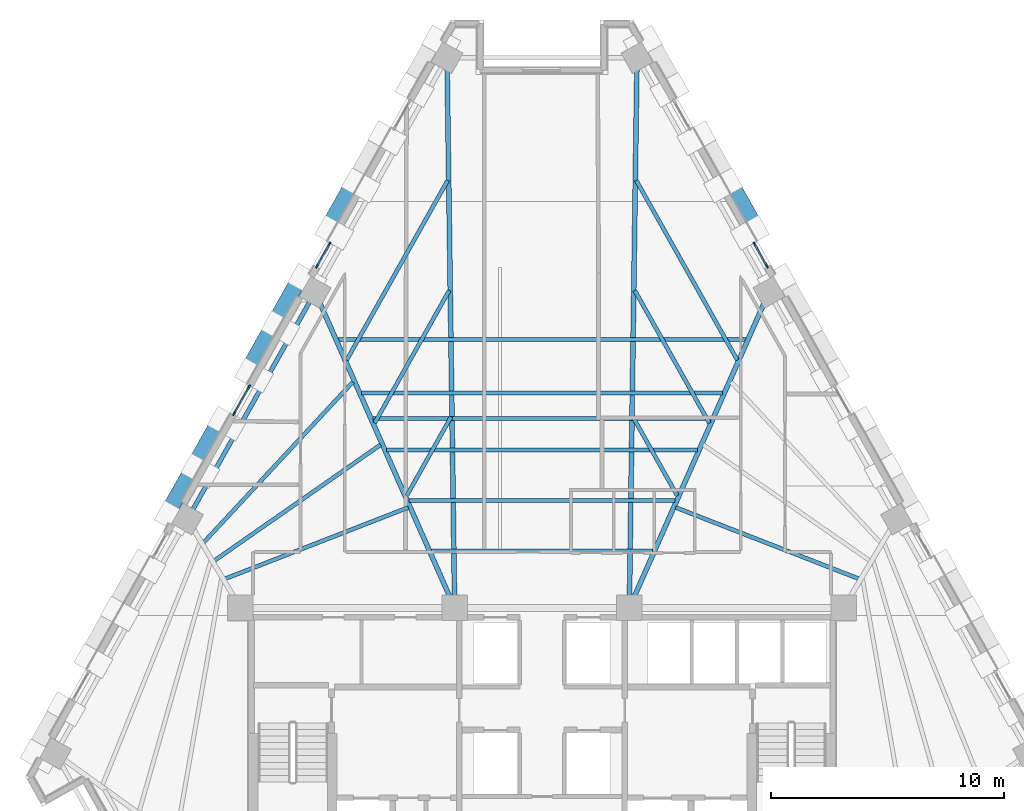
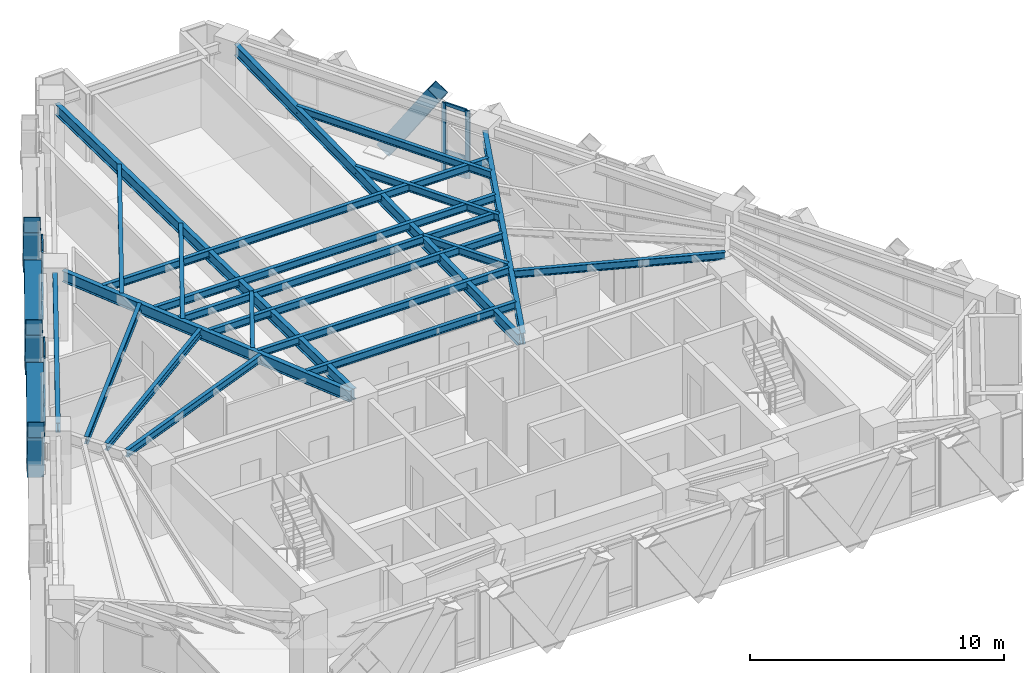
# One storey, part 3 of 13: 21 beams, 21 members, 3 elements without a shape of their own.
"""IFC4 building model written with IfcOpenShell, lengths in metres."""

import ifcopenshell
import ifcopenshell.guid

model = None  # the IFC model being written
_history = None  # IfcOwnerHistory: only IFC2X3 demands one
_inside = {}  # id of a spatial element -> (the spatial element, [elements in it])
_under = {}  # id of a project, library or spatial element -> (it, [spatial elements below it])
_declared = {}  # id of a project -> (the project, [libraries it declares])
_typed = {}  # id of a type object -> (the type object, [elements of that type])
_made_of = {}  # id of a material, layer set ... -> (it, [elements and type objects made of it])


def new_model(schema):
    """Start an empty IFC model of exactly this schema.

    Asked for "IFC4X3", IfcOpenShell would pick the latest addendum, in which some entities
    have other attributes; the version numbers below select the first issue.
    IFC2X3 requires an IfcOwnerHistory on every rooted entity: one is made here for all.
    """
    global model, _history
    if schema == "IFC4X3":
        model = ifcopenshell.file(schema_version=(4, 3, 0, 0))
    else:
        model = ifcopenshell.file(schema=schema)
    _inside.clear()
    _under.clear()
    _declared.clear()
    _typed.clear()
    _made_of.clear()
    _history = None
    if model.schema == "IFC2X3":
        org = make("IfcOrganization", Name="unknown")
        user = make(
            "IfcPersonAndOrganization",
            ThePerson=make("IfcPerson", FamilyName="unknown"),
            TheOrganization=org,
        )
        app = make(
            "IfcApplication",
            ApplicationDeveloper=org,
            Version="unknown",
            ApplicationFullName="unknown",
            ApplicationIdentifier="unknown",
        )
        _history = make(
            "IfcOwnerHistory",
            OwningUser=user,
            OwningApplication=app,
            ChangeAction="ADDED",
            CreationDate=0,
        )
    return model


def make(cls, **values):
    """One entity of the class cls with the attributes given. An attribute that is None is left unset."""
    return model.create_entity(
        cls, **{name: value for name, value in values.items() if value is not None}
    )


def rooted(cls, **values):
    """An entity with a GlobalId (a new one), such as an element, a storey or a relation."""
    return make(cls, GlobalId=ifcopenshell.guid.new(), OwnerHistory=_history, **values)


def si_unit(unit_type, name, prefix=None):
    """IfcSIUnit, for example si_unit("LENGTHUNIT", "METRE", prefix="MILLI")."""
    return make("IfcSIUnit", UnitType=unit_type, Prefix=prefix, Name=name)


def assignment(units):
    """IfcUnitAssignment: the units of a project."""
    return None if units is None else make("IfcUnitAssignment", Units=units)


def point(xyz):
    """IfcCartesianPoint."""
    return None if xyz is None else make("IfcCartesianPoint", Coordinates=xyz)


def direction(xyz):
    """IfcDirection."""
    return None if xyz is None else make("IfcDirection", DirectionRatios=xyz)


def frame(location, z_axis=None, x_axis=None):
    """IfcAxis2Placement3D, a coordinate frame: its origin and axes. An axis left out is left unset."""
    return make(
        "IfcAxis2Placement3D",
        Location=point(location),
        Axis=direction(z_axis),
        RefDirection=direction(x_axis),
    )


def frame_2d(location, x_axis=None):
    """IfcAxis2Placement2D, a coordinate frame in the plane: its origin and x axis."""
    return make(
        "IfcAxis2Placement2D", Location=point(location), RefDirection=direction(x_axis)
    )


def origin():
    """The frame at (0, 0, 0) with its axes left unset."""
    return frame((0.0, 0.0, 0.0))


def origin_2d():
    """The frame at (0, 0) in the plane with its x axis left unset."""
    return frame_2d((0.0, 0.0))


def place(relative_to, where):
    """IfcLocalPlacement: puts the frame where relative to a parent placement (None: the world)."""
    return make(
        "IfcLocalPlacement", PlacementRelTo=relative_to, RelativePlacement=where
    )


def context(
    kind, dimensions, precision=None, world=None, true_north=None, identifier=None
):
    """IfcGeometricRepresentationContext, for example the 3D "Model" context."""
    return make(
        "IfcGeometricRepresentationContext",
        ContextIdentifier=identifier,
        ContextType=kind,
        CoordinateSpaceDimension=dimensions,
        Precision=precision,
        WorldCoordinateSystem=world,
        TrueNorth=true_north,
    )


def subcontext(parent, identifier, kind, view, scale=None):
    """IfcGeometricRepresentationSubContext, for example "Body" below "Model"."""
    return make(
        "IfcGeometricRepresentationSubContext",
        ContextIdentifier=identifier,
        ContextType=kind,
        ParentContext=parent,
        TargetScale=scale,
        TargetView=view,
    )


def project(units=None, contexts=None):
    """IfcProject with its units and contexts."""
    return rooted(
        "IfcProject",
        Name="project",
        RepresentationContexts=contexts,
        UnitsInContext=assignment(units),
    )


def spatial(cls, under=None, at=None, **own):
    """A site, building, storey or space (cls), placed at a placement, below another one or the project."""
    s = rooted(cls, ObjectPlacement=at, **own)
    if under is not None:
        _under.setdefault(under.id(), (under, []))[1].append(s)
    return s


def profile(cls, at=None, kind="AREA", **sizes):
    """A parametric profile (cls). Its sizes go by their IFC names, for example OverallWidth=200.0."""
    return make(cls, ProfileType=kind, Position=at, **sizes)


def rectangle(**sizes):
    """IfcRectangleProfileDef."""
    return profile("IfcRectangleProfileDef", **sizes)


def hollow_rectangle(**sizes):
    """IfcRectangleHollowProfileDef."""
    return profile("IfcRectangleHollowProfileDef", **sizes)


def i_section(**sizes):
    """IfcIShapeProfileDef."""
    return profile("IfcIShapeProfileDef", **sizes)


def extrude(swept, where, along, depth):
    """IfcExtrudedAreaSolid: the profile swept, set in the frame where, extruded along a direction by depth."""
    return make(
        "IfcExtrudedAreaSolid",
        SweptArea=swept,
        Position=where,
        ExtrudedDirection=direction(along),
        Depth=depth,
    )


def shape(context_of_items, identifier, shape_type, items):
    """IfcShapeRepresentation: the items that make up one representation, for example the "Body"."""
    return make(
        "IfcShapeRepresentation",
        ContextOfItems=context_of_items,
        RepresentationIdentifier=identifier,
        RepresentationType=shape_type,
        Items=items,
    )


def material(Name=None, Category=None):
    """IfcMaterial."""
    return make("IfcMaterial", Name=Name, Category=Category)


def material_profile(
    of_material, cross_section, Name=None, Category=None, Priority=None
):
    """IfcMaterialProfile: a cross section and its material."""
    return make(
        "IfcMaterialProfile",
        Name=Name,
        Material=of_material,
        Profile=cross_section,
        Priority=Priority,
        Category=Category,
    )


def profile_set(profiles, Name=None, composite=None):
    """IfcMaterialProfileSet."""
    return make(
        "IfcMaterialProfileSet",
        Name=Name,
        MaterialProfiles=profiles,
        CompositeProfile=composite,
    )


def made_of(thing, what):
    """Note that an element or type object is made of a material, layer set ...; save() writes the relation."""
    if what is not None:
        _made_of.setdefault(what.id(), (what, []))[1].append(thing)
    return thing


def type_object(cls, material=None, **own):
    """A type object (cls), such as IfcWallType, which elements share."""
    return made_of(rooted(cls, **own), material)


def element(
    cls,
    number,
    at=None,
    inside=None,
    cuts=None,
    type_object=None,
    material=None,
    context=None,
    identifier="Body",
    shape_type=None,
    held_by="IfcProductDefinitionShape",
    body=None,
    shapes=None,
    **own,
):
    """One element of the class cls, such as IfcWall. Its Tag is "e" and its number.

    at: its placement. inside: the storey or other place that contains it. cuts: it is an
    opening in that element (IfcRelVoidsElement). A single representation is given by context,
    identifier, shape_type and body (its items); several are given by shapes. held_by: the class
    of the entity that holds the representations. save() writes the other relations.
    """
    e = rooted(cls, Tag="e%d" % number, ObjectPlacement=at, **own)
    if body is not None:
        shapes = [shape(context, identifier, shape_type, body)]
    if shapes is not None:
        e.Representation = make(held_by, Representations=shapes)
    if inside is not None:
        _inside.setdefault(inside.id(), (inside, []))[1].append(e)
    if cuts is not None:
        rooted(
            "IfcRelVoidsElement", RelatingBuildingElement=cuts, RelatedOpeningElement=e
        )
    if type_object is not None:
        _typed.setdefault(type_object.id(), (type_object, []))[1].append(e)
    return made_of(e, material)


def aggregate(whole, parts):
    """IfcRelAggregates: a whole, such as a stair, and the parts it consists of."""
    return rooted("IfcRelAggregates", RelatingObject=whole, RelatedObjects=parts)


def save(model, path):
    """Write the relations noted so far, then the file.

    IfcRelAggregates (storeys below a building ...), IfcRelContainedInSpatialStructure (elements
    in a storey), IfcRelDefinesByType, IfcRelAssociatesMaterial and IfcRelDeclares: one each for
    every whole, place, type object, material and project.
    """
    for whole, parts in _under.values():
        aggregate(whole, parts)
    for where, things in _inside.values():
        rooted(
            "IfcRelContainedInSpatialStructure",
            RelatedElements=things,
            RelatingStructure=where,
        )
    for kind, things in _typed.values():
        rooted("IfcRelDefinesByType", RelatedObjects=things, RelatingType=kind)
    for what, things in _made_of.values():
        rooted("IfcRelAssociatesMaterial", RelatedObjects=things, RelatingMaterial=what)
    for by, libraries in _declared.values():
        rooted("IfcRelDeclares", RelatingContext=by, RelatedDefinitions=libraries)
    model.write(path)


model = new_model("IFC4")

# Units and contexts
model_context = context("Model", 3, precision=1e-05, world=origin(), true_north=direction((0.0, 1.0)))
body_context = subcontext(model_context, "Body", "Model", "MODEL_VIEW")
ifc_project = project(units=[si_unit("LENGTHUNIT", "METRE"), si_unit("AREAUNIT", "SQUARE_METRE"), si_unit("VOLUMEUNIT", "CUBIC_METRE"), si_unit("PLANEANGLEUNIT", "RADIAN"), si_unit("MASSUNIT", "GRAM", prefix="KILO")], contexts=[model_context])

# Site, building, storey
site_placement = place(None, origin())
site = spatial("IfcSite", under=ifc_project, at=site_placement, CompositionType="ELEMENT")
building_placement = place(site_placement, origin())
building = spatial("IfcBuilding", under=site, at=building_placement, Name="Quenlor Broadcast Tower", CompositionType="ELEMENT")
storey_placement = place(building_placement, frame((0.0, 0.0, 172.0)))
storey = spatial("IfcBuildingStorey", under=building, at=storey_placement, Name="L47", CompositionType="ELEMENT", Elevation=172.0)

# Curtain wall, members
ifc_material_1 = material(Name="Architectural Terracotta and Low-E Glazing", Category="masonry")
curtain_wall_type = type_object("IfcCurtainWallType", Name="Unitised Terracotta Curtain Wall System Z3", PredefinedType="NOTDEFINED", material=ifc_material_1)
curtain_wall_1_placement = place(storey_placement, origin())
curtain_wall_1 = element("IfcCurtainWall", 1, at=curtain_wall_1_placement, inside=storey, type_object=curtain_wall_type, Name="L47 Curtain Wall CW3 (L47-NEA-G2)", PredefinedType="NOTDEFINED")
ifc_material_2 = material(Name="Aluminium 6063-T6", Category="aluminium")
ifc_material_profile_1 = material_profile(ifc_material_2, rectangle(XDim=0.070068359375, YDim=0.18994140625, at=origin_2d()))
ifc_profile_set_1 = profile_set([ifc_material_profile_1], Name="Aluminium 6063-T6 MULL70x190")
member_type_1 = type_object("IfcMemberType", Name="CW3 Aluminium Mullion MULL_CW3", PredefinedType="MULLION", material=ifc_profile_set_1)
member_1_placement = place(storey_placement, frame((9.1259765625, 10.8193359375, 0.0), z_axis=(0.0, 0.0, 1.0), x_axis=(0.871601010924, 0.490215950125, 0.0)))
member_1 = element("IfcMember", 2, at=member_1_placement, type_object=member_type_1, Name="CW3 mullion 1", PredefinedType="MULLION", context=body_context, shape_type="SweptSolid", body=[
    extrude(rectangle(XDim=0.070068359375, YDim=0.18994140625, at=origin_2d()), origin(), (0.0, 0.0, 1.0), 3.25),
])
member_2_placement = place(storey_placement, frame((9.656982421875, 9.875244140625, 0.0), z_axis=(0.0, 0.0, 1.0), x_axis=(0.871601010924, 0.490215950125, 0.0)))
member_2 = element("IfcMember", 3, at=member_2_placement, type_object=member_type_1, Name="CW3 mullion 2", PredefinedType="MULLION", context=body_context, shape_type="SweptSolid", body=[
    extrude(rectangle(XDim=0.070068359375, YDim=0.18994140625, at=origin_2d()), origin(), (0.0, 0.0, 1.0), 3.25),
])

curtain_wall_2_placement = place(storey_placement, origin())
curtain_wall_2 = element("IfcCurtainWall", 4, at=curtain_wall_2_placement, inside=storey, type_object=curtain_wall_type, Name="L47 Curtain Wall CW3 (L47-NWC-G1)", PredefinedType="NOTDEFINED")
member_3_placement = place(storey_placement, frame((-9.656982421875, 9.875244140625, 0.0), z_axis=(0.0, 0.0, 1.0), x_axis=(-0.871601010924, 0.490215950125, 0.0)))
member_3 = element("IfcMember", 5, at=member_3_placement, type_object=member_type_1, Name="CW3 mullion 1", PredefinedType="MULLION", context=body_context, shape_type="SweptSolid", body=[
    extrude(rectangle(XDim=0.070068359375, YDim=0.18994140625, at=origin_2d()), origin(), (0.0, 0.0, 1.0), 3.25),
])
member_4_placement = place(storey_placement, frame((-9.1259765625, 10.8193359375, 0.0), z_axis=(0.0, 0.0, 1.0), x_axis=(-0.871601010924, 0.490215950125, 0.0)))
member_4 = element("IfcMember", 6, at=member_4_placement, type_object=member_type_1, Name="CW3 mullion 2", PredefinedType="MULLION", context=body_context, shape_type="SweptSolid", body=[
    extrude(rectangle(XDim=0.070068359375, YDim=0.18994140625, at=origin_2d()), origin(), (0.0, 0.0, 1.0), 3.25),
])

curtain_wall_3_placement = place(storey_placement, origin())
curtain_wall_3 = element("IfcCurtainWall", 7, at=curtain_wall_3_placement, inside=storey, type_object=curtain_wall_type, Name="L47 Curtain Wall CW3 (L47-NW-G1)", PredefinedType="NOTDEFINED")
member_5_placement = place(storey_placement, frame((-13.220947265625, 3.5390625, 0.0), z_axis=(0.0, 0.0, 1.0), x_axis=(-0.871562085714, 0.490285152484, 0.0)))
member_5 = element("IfcMember", 8, at=member_5_placement, type_object=member_type_1, Name="CW3 mullion 1", PredefinedType="MULLION", context=body_context, shape_type="SweptSolid", body=[
    extrude(rectangle(XDim=0.070068359375, YDim=0.18994140625, at=origin_2d()), origin(), (0.0, 0.0, 1.0), 3.25),
])
member_6_placement = place(storey_placement, frame((-12.573974609375, 4.689208984375, 0.0), z_axis=(0.0, 0.0, 1.0), x_axis=(-0.871562085714, 0.490285152484, 0.0)))
member_6 = element("IfcMember", 9, at=member_6_placement, type_object=member_type_1, Name="CW3 mullion 2", PredefinedType="MULLION", context=body_context, shape_type="SweptSolid", body=[
    extrude(rectangle(XDim=0.070068359375, YDim=0.18994140625, at=origin_2d()), origin(), (0.0, 0.0, 1.0), 3.25),
])

# Member
ifc_material_3 = material(Name="Aluminium 6063-T6", Category="aluminium")
ifc_material_profile_2 = material_profile(ifc_material_3, rectangle(XDim=0.070068359375, YDim=0.155029296875, at=origin_2d()))
ifc_profile_set_2 = profile_set([ifc_material_profile_2], Name="Aluminium 6063-T6 TRAN70x155")
member_type_2 = type_object("IfcMemberType", Name="CW3 Aluminium Transom TRAN_CW3", PredefinedType="USERDEFINED", material=ifc_profile_set_2)
member_7_placement = place(storey_placement, frame((9.14306640625, 10.788818359375, 0.034912109375), z_axis=(0.490341317219, -0.871530488639, 0.0), x_axis=(0.871530488639, 0.490341317219, 0.0)))
member_7 = element("IfcMember", 10, at=member_7_placement, type_object=member_type_2, Name="CW3 transom 1.1", ObjectType="TRANSOM", PredefinedType="USERDEFINED", context=body_context, shape_type="SweptSolid", body=[
    extrude(rectangle(XDim=0.070068359375, YDim=0.155029296875, at=origin_2d()), origin(), (0.0, 0.0, 1.0), 1.01318359375),
])

member_8_placement = place(storey_placement, frame((9.14306640625, 10.788818359375, 0.949951171875), z_axis=(0.490341317219, -0.871530488639, 0.0), x_axis=(0.871530488639, 0.490341317219, 0.0)))
member_8 = element("IfcMember", 11, at=member_8_placement, type_object=member_type_2, Name="CW3 transom 1.2", ObjectType="TRANSOM", PredefinedType="USERDEFINED", context=body_context, shape_type="SweptSolid", body=[
    extrude(rectangle(XDim=0.070068359375, YDim=0.155029296875, at=origin_2d()), origin(), (0.0, 0.0, 1.0), 1.01318359375),
])

member_9_placement = place(storey_placement, frame((9.14306640625, 10.788818359375, 3.215087890625), z_axis=(0.490341317219, -0.871530488639, 0.0), x_axis=(0.871530488639, 0.490341317219, 0.0)))
member_9 = element("IfcMember", 12, at=member_9_placement, type_object=member_type_2, Name="CW3 transom 1.3", ObjectType="TRANSOM", PredefinedType="USERDEFINED", context=body_context, shape_type="SweptSolid", body=[
    extrude(rectangle(XDim=0.070068359375, YDim=0.155029296875, at=origin_2d()), origin(), (0.0, 0.0, 1.0), 1.01318359375),
])

aggregate(curtain_wall_1, [member_1, member_2, member_7, member_8, member_9])

member_10_placement = place(storey_placement, frame((-9.639892578125, 9.90576171875, 0.034912109375), z_axis=(0.490341317219, 0.871530488639, 0.0), x_axis=(-0.871530488639, 0.490341317219, 0.0)))
member_10 = element("IfcMember", 13, at=member_10_placement, type_object=member_type_2, Name="CW3 transom 1.1", ObjectType="TRANSOM", PredefinedType="USERDEFINED", context=body_context, shape_type="SweptSolid", body=[
    extrude(rectangle(XDim=0.070068359375, YDim=0.155029296875, at=origin_2d()), origin(), (0.0, 0.0, 1.0), 1.01318359375),
])

member_11_placement = place(storey_placement, frame((-9.639892578125, 9.90576171875, 0.949951171875), z_axis=(0.490341317219, 0.871530488639, 0.0), x_axis=(-0.871530488639, 0.490341317219, 0.0)))
member_11 = element("IfcMember", 14, at=member_11_placement, type_object=member_type_2, Name="CW3 transom 1.2", ObjectType="TRANSOM", PredefinedType="USERDEFINED", context=body_context, shape_type="SweptSolid", body=[
    extrude(rectangle(XDim=0.070068359375, YDim=0.155029296875, at=origin_2d()), origin(), (0.0, 0.0, 1.0), 1.01318359375),
])

member_12_placement = place(storey_placement, frame((-9.639892578125, 9.90576171875, 3.215087890625), z_axis=(0.490341317219, 0.871530488639, 0.0), x_axis=(-0.871530488639, 0.490341317219, 0.0)))
member_12 = element("IfcMember", 15, at=member_12_placement, type_object=member_type_2, Name="CW3 transom 1.3", ObjectType="TRANSOM", PredefinedType="USERDEFINED", context=body_context, shape_type="SweptSolid", body=[
    extrude(rectangle(XDim=0.070068359375, YDim=0.155029296875, at=origin_2d()), origin(), (0.0, 0.0, 1.0), 1.01318359375),
])

aggregate(curtain_wall_2, [member_3, member_4, member_10, member_11, member_12])

member_13_placement = place(storey_placement, frame((-13.203857421875, 3.569580078125, 0.034912109375), z_axis=(0.490363266059, 0.871518139398, 0.0), x_axis=(-0.871518139398, 0.490363266059, 0.0)))
member_13 = element("IfcMember", 16, at=member_13_placement, type_object=member_type_2, Name="CW3 transom 1.1", ObjectType="TRANSOM", PredefinedType="USERDEFINED", context=body_context, shape_type="SweptSolid", body=[
    extrude(rectangle(XDim=0.070068359375, YDim=0.155029296875, at=origin_2d()), origin(), (0.0, 0.0, 1.0), 1.249755859375),
])

member_14_placement = place(storey_placement, frame((-13.203857421875, 3.569580078125, 0.949951171875), z_axis=(0.490363266059, 0.871518139398, 0.0), x_axis=(-0.871518139398, 0.490363266059, 0.0)))
member_14 = element("IfcMember", 17, at=member_14_placement, type_object=member_type_2, Name="CW3 transom 1.2", ObjectType="TRANSOM", PredefinedType="USERDEFINED", context=body_context, shape_type="SweptSolid", body=[
    extrude(rectangle(XDim=0.070068359375, YDim=0.155029296875, at=origin_2d()), origin(), (0.0, 0.0, 1.0), 1.249755859375),
])

member_15_placement = place(storey_placement, frame((-13.203857421875, 3.569580078125, 3.215087890625), z_axis=(0.490363266059, 0.871518139398, 0.0), x_axis=(-0.871518139398, 0.490363266059, 0.0)))
member_15 = element("IfcMember", 18, at=member_15_placement, type_object=member_type_2, Name="CW3 transom 1.3", ObjectType="TRANSOM", PredefinedType="USERDEFINED", context=body_context, shape_type="SweptSolid", body=[
    extrude(rectangle(XDim=0.070068359375, YDim=0.155029296875, at=origin_2d()), origin(), (0.0, 0.0, 1.0), 1.249755859375),
])

aggregate(curtain_wall_3, [member_5, member_6, member_13, member_14, member_15])

# Members
ifc_material_4 = material(Name="Steel S355", Category="steel")
ifc_material_profile_3 = material_profile(ifc_material_4, hollow_rectangle(XDim=0.679931640625, YDim=0.679931640625, WallThickness=0.02490234375, at=origin_2d()))
ifc_profile_set_3 = profile_set([ifc_material_profile_3], Name="Steel S355 RHS680x680x25")
member_type_3 = type_object("IfcMemberType", Name="Perimeter Diagonal Lattice Brace Z3-Z4 Steel S355 RHS680x25", PredefinedType="BRACE", material=ifc_profile_set_3)
for number, where, z_axis, x_axis, name in (
    (19, (8.076416015625, 13.490478515625, -0.1201171875), (0.27060310517, -0.481001091283, 0.833913610428), (0.871544572467, 0.490316283845, 0.0), "L47 Perimeter Diamond Lattice NE-C2S"),
    (20, (-14.97265625, 1.230712890625, -0.1201171875), (-0.27060310517, -0.481001091283, 0.833913610428), (0.871544572467, -0.490316283845, 0.0), "L47 Perimeter Diamond Lattice NW-C2B"),
    (21, (-14.958984375, 1.255126953125, -0.1201171875), (0.2705491942, 0.481008661973, 0.833926735766), (-0.871589611547, 0.490236217596, 0.0), "L47 Perimeter Diamond Lattice NW-C3S"),
    (22, (-11.524658203125, 7.360595703125, -0.1201171875), (-0.2705491942, -0.481008661973, 0.833926735766), (0.871589611547, -0.490236217596, 0.0), "L47 Perimeter Diamond Lattice NW-C3B"),
    (23, (-11.5107421875, 7.385009765625, -0.1201171875), (0.2705491942, 0.481008661973, 0.833926735766), (-0.871589611547, 0.490236217596, 0.0), "L47 Perimeter Diamond Lattice NW-C4S"),
    (24, (-8.076416015625, 13.490478515625, -0.1201171875), (-0.27060310517, -0.481001091283, 0.833913610428), (0.871544572467, -0.490316283845, 0.0), "L47 Perimeter Diamond Lattice NW-C4B"),
):
    element("IfcMember", number, at=place(storey_placement, frame(where, z_axis=z_axis, x_axis=x_axis)), inside=storey, type_object=member_type_3, Name=name, PredefinedType="BRACE", context=body_context, shape_type="SweptSolid", body=[
        extrude(hollow_rectangle(XDim=0.679931640625, YDim=0.679931640625, WallThickness=0.02490234375, at=origin_2d()), origin(), (0.0, 0.0, 1.0), 4.197021484375),
    ])

# Beams
ifc_material_5 = material(Name="Steel S355", Category="steel")
ifc_material_profile_4 = material_profile(ifc_material_5, i_section(OverallWidth=0.19091796875, OverallDepth=0.46044921875, WebThickness=0.010009765625, FlangeThickness=0.01611328125, FilletRadius=0.011474609375, at=origin_2d()))
ifc_profile_set_4 = profile_set([ifc_material_profile_4], Name="Steel S355 460UB82.1")
beam_type_1 = type_object("IfcBeamType", Name="Perimeter Spandrel Beam Z3 Steel S355 460UB82.1", PredefinedType="SPANDREL", material=ifc_profile_set_4)
beam_1_placement = place(storey_placement, frame((-9.944091796875, 8.39599609375, 3.019775390625), z_axis=(-0.490252288562, -0.871580572041, 0.0), x_axis=(0.871580572041, -0.490252288562, 0.0)))
element("IfcBeam", 25, at=beam_1_placement, inside=storey, type_object=beam_type_1, Name="L47 Spandrel Beam NW2-NW3", PredefinedType="SPANDREL", context=body_context, shape_type="SweptSolid", body=[
    extrude(i_section(OverallWidth=0.19091796875, OverallDepth=0.46044921875, WebThickness=0.010009765625, FlangeThickness=0.01611328125, FilletRadius=0.011474609375, at=origin_2d()), origin(), (0.0, 0.0, 1.0), 10.359619140625),
])
ifc_material_6 = material(Name="Steel S355", Category="steel")
ifc_material_profile_5 = material_profile(ifc_material_6, i_section(OverallWidth=0.172119140625, OverallDepth=0.358642578125, WebThickness=0.008056640625, FlangeThickness=0.012939453125, FilletRadius=0.011474609375, at=origin_2d()))
ifc_profile_set_5 = profile_set([ifc_material_profile_5], Name="Steel S355 360UB56.7")
beam_type_2 = type_object("IfcBeamType", Name="Tower Composite Joist Z2-Z3 Steel S355 360UB56.7", PredefinedType="JOIST", material=ifc_profile_set_5)
beam_2_placement = place(storey_placement, frame((-4.748779296875, -2.3603515625, 3.07080078125), z_axis=(1.0, 0.0, 0.0), x_axis=(0.0, 1.0, 0.0)))
element("IfcBeam", 26, at=beam_2_placement, inside=storey, type_object=beam_type_2, Name="L47 Secondary Composite Joist 1", PredefinedType="JOIST", context=body_context, shape_type="SweptSolid", body=[
    extrude(i_section(OverallWidth=0.172119140625, OverallDepth=0.358642578125, WebThickness=0.008056640625, FlangeThickness=0.012939453125, FilletRadius=0.011474609375, at=origin_2d()), origin(), (0.0, 0.0, 1.0), 9.49755859375),
])
beam_3_placement = place(storey_placement, frame((-7.265869140625, 3.33203125, 3.07080078125), z_axis=(1.0, 0.0, 0.0), x_axis=(0.0, 1.0, 0.0)))
element("IfcBeam", 27, at=beam_3_placement, inside=storey, type_object=beam_type_2, Name="L47 Secondary Composite Joist 2", PredefinedType="JOIST", context=body_context, shape_type="SweptSolid", body=[
    extrude(i_section(OverallWidth=0.172119140625, OverallDepth=0.358642578125, WebThickness=0.008056640625, FlangeThickness=0.012939453125, FilletRadius=0.011474609375, at=origin_2d()), origin(), (0.0, 0.0, 1.0), 14.53173828125),
])
beam_4_placement = place(storey_placement, frame((-5.70751953125, -0.19189453125, 3.07080078125), z_axis=(1.0, 0.0, 0.0), x_axis=(0.0, 1.0, 0.0)))
element("IfcBeam", 28, at=beam_4_placement, inside=storey, type_object=beam_type_2, Name="L47 Secondary Composite Joist 3", PredefinedType="JOIST", context=body_context, shape_type="SweptSolid", body=[
    extrude(i_section(OverallWidth=0.172119140625, OverallDepth=0.358642578125, WebThickness=0.008056640625, FlangeThickness=0.012939453125, FilletRadius=0.011474609375, at=origin_2d()), origin(), (0.0, 0.0, 1.0), 11.4150390625),
])
beam_5_placement = place(storey_placement, frame((-6.66650390625, 1.976806640625, 3.07080078125), z_axis=(1.0, 0.0, 0.0), x_axis=(0.0, 1.0, 0.0)))
element("IfcBeam", 29, at=beam_5_placement, inside=storey, type_object=beam_type_2, Name="L47 Secondary Composite Joist 4", PredefinedType="JOIST", context=body_context, shape_type="SweptSolid", body=[
    extrude(i_section(OverallWidth=0.172119140625, OverallDepth=0.358642578125, WebThickness=0.008056640625, FlangeThickness=0.012939453125, FilletRadius=0.011474609375, at=origin_2d()), origin(), (0.0, 0.0, 1.0), 13.3330078125),
])
beam_6_placement = place(storey_placement, frame((-7.7451171875, 4.416259765625, 3.07080078125), z_axis=(1.0, 0.0, 0.0), x_axis=(0.0, 1.0, 0.0)))
element("IfcBeam", 30, at=beam_6_placement, inside=storey, type_object=beam_type_2, Name="L47 Secondary Composite Joist 5", PredefinedType="JOIST", context=body_context, shape_type="SweptSolid", body=[
    extrude(i_section(OverallWidth=0.172119140625, OverallDepth=0.358642578125, WebThickness=0.008056640625, FlangeThickness=0.012939453125, FilletRadius=0.011474609375, at=origin_2d()), origin(), (0.0, 0.0, 1.0), 15.490234375),
])
beam_7_placement = place(storey_placement, frame((-8.763916015625, 6.72021484375, 3.07080078125), z_axis=(1.0, 0.0, 0.0), x_axis=(0.0, 1.0, 0.0)))
element("IfcBeam", 31, at=beam_7_placement, inside=storey, type_object=beam_type_2, Name="L47 Secondary Composite Joist 6", PredefinedType="JOIST", context=body_context, shape_type="SweptSolid", body=[
    extrude(i_section(OverallWidth=0.172119140625, OverallDepth=0.358642578125, WebThickness=0.008056640625, FlangeThickness=0.012939453125, FilletRadius=0.011474609375, at=origin_2d()), origin(), (0.0, 0.0, 1.0), 17.52783203125),
])
beam_8_placement = place(storey_placement, frame((-13.60302734375, -3.552001953125, 3.07080078125), z_axis=(0.931881865797, 0.362761889121, 0.0), x_axis=(-0.362761889121, 0.931881865797, 0.0)))
element("IfcBeam", 32, at=beam_8_placement, inside=storey, type_object=beam_type_2, Name="L47 Secondary Composite Joist 7", PredefinedType="JOIST", context=body_context, shape_type="SweptSolid", body=[
    extrude(i_section(OverallWidth=0.172119140625, OverallDepth=0.358642578125, WebThickness=0.008056640625, FlangeThickness=0.012939453125, FilletRadius=0.011474609375, at=origin_2d()), origin(), (0.0, 0.0, 1.0), 8.435546875),
])
beam_9_placement = place(storey_placement, frame((-14.06689453125, -2.7734375, 3.07080078125), z_axis=(0.82026568394, 0.57198269882, 0.0), x_axis=(-0.57198269882, 0.82026568394, 0.0)))
element("IfcBeam", 33, at=beam_9_placement, inside=storey, type_object=beam_type_2, Name="L47 Secondary Composite Joist 8", PredefinedType="JOIST", context=body_context, shape_type="SweptSolid", body=[
    extrude(i_section(OverallWidth=0.172119140625, OverallDepth=0.358642578125, WebThickness=0.008056640625, FlangeThickness=0.012939453125, FilletRadius=0.011474609375, at=origin_2d()), origin(), (0.0, 0.0, 1.0), 8.698486328125),
])
beam_10_placement = place(storey_placement, frame((-14.53271484375, -1.998779296875, 3.07080078125), z_axis=(0.680873505991, 0.732401030065, 0.0), x_axis=(-0.732401030065, 0.680873505991, 0.0)))
element("IfcBeam", 34, at=beam_10_placement, inside=storey, type_object=beam_type_2, Name="L47 Secondary Composite Joist 9", PredefinedType="JOIST", context=body_context, shape_type="SweptSolid", body=[
    extrude(i_section(OverallWidth=0.172119140625, OverallDepth=0.358642578125, WebThickness=0.008056640625, FlangeThickness=0.012939453125, FilletRadius=0.011474609375, at=origin_2d()), origin(), (0.0, 0.0, 1.0), 9.419189453125),
])
beam_11_placement = place(storey_placement, frame((13.60302734375, -3.552001953125, 3.07080078125), z_axis=(-0.931881865797, 0.362761889121, 0.0), x_axis=(-0.362761889121, -0.931881865797, 0.0)))
element("IfcBeam", 35, at=beam_11_placement, inside=storey, type_object=beam_type_2, Name="L47 Secondary Composite Joist 10", PredefinedType="JOIST", context=body_context, shape_type="SweptSolid", body=[
    extrude(i_section(OverallWidth=0.172119140625, OverallDepth=0.358642578125, WebThickness=0.008056640625, FlangeThickness=0.012939453125, FilletRadius=0.011474609375, at=origin_2d()), origin(), (0.0, 0.0, 1.0), 8.435546875),
])
beam_12_placement = place(storey_placement, frame((-3.904541015625, 3.39794921875, 3.07080078125), z_axis=(-0.49026422458, -0.871573858085, 0.0), x_axis=(0.871573858085, -0.49026422458, 0.0)))
element("IfcBeam", 36, at=beam_12_placement, inside=storey, type_object=beam_type_2, Name="L47 Secondary Composite Joist 25", PredefinedType="JOIST", context=body_context, shape_type="SweptSolid", body=[
    extrude(i_section(OverallWidth=0.172119140625, OverallDepth=0.358642578125, WebThickness=0.008056640625, FlangeThickness=0.012939453125, FilletRadius=0.011474609375, at=origin_2d()), origin(), (0.0, 0.0, 1.0), 3.88330078125),
])
beam_13_placement = place(storey_placement, frame((-3.980224609375, 8.8310546875, 3.07080078125), z_axis=(-0.490266556378, -0.871572546434, 0.0), x_axis=(0.871572546434, -0.490266556378, 0.0)))
element("IfcBeam", 37, at=beam_13_placement, inside=storey, type_object=beam_type_2, Name="L47 Secondary Composite Joist 26", PredefinedType="JOIST", context=body_context, shape_type="SweptSolid", body=[
    extrude(i_section(OverallWidth=0.172119140625, OverallDepth=0.358642578125, WebThickness=0.008056640625, FlangeThickness=0.012939453125, FilletRadius=0.011474609375, at=origin_2d()), origin(), (0.0, 0.0, 1.0), 6.54052734375),
])
beam_14_placement = place(storey_placement, frame((-4.046142578125, 13.555419921875, 3.07080078125), z_axis=(-0.490254691431, -0.871579220455, 0.0), x_axis=(0.871579220455, -0.490254691431, 0.0)))
element("IfcBeam", 38, at=beam_14_placement, inside=storey, type_object=beam_type_2, Name="L47 Secondary Composite Joist 27", PredefinedType="JOIST", context=body_context, shape_type="SweptSolid", body=[
    extrude(i_section(OverallWidth=0.172119140625, OverallDepth=0.358642578125, WebThickness=0.008056640625, FlangeThickness=0.012939453125, FilletRadius=0.011474609375, at=origin_2d()), origin(), (0.0, 0.0, 1.0), 8.850830078125),
])
beam_15_placement = place(storey_placement, frame((3.904541015625, 3.39794921875, 3.07080078125), z_axis=(0.49026422458, -0.871573858085, 0.0), x_axis=(0.871573858085, 0.49026422458, 0.0)))
element("IfcBeam", 39, at=beam_15_placement, inside=storey, type_object=beam_type_2, Name="L47 Secondary Composite Joist 28", PredefinedType="JOIST", context=body_context, shape_type="SweptSolid", body=[
    extrude(i_section(OverallWidth=0.172119140625, OverallDepth=0.358642578125, WebThickness=0.008056640625, FlangeThickness=0.012939453125, FilletRadius=0.011474609375, at=origin_2d()), origin(), (0.0, 0.0, 1.0), 3.88330078125),
])
beam_16_placement = place(storey_placement, frame((3.980224609375, 8.8310546875, 3.07080078125), z_axis=(0.490266556378, -0.871572546434, 0.0), x_axis=(0.871572546434, 0.490266556378, 0.0)))
element("IfcBeam", 40, at=beam_16_placement, inside=storey, type_object=beam_type_2, Name="L47 Secondary Composite Joist 29", PredefinedType="JOIST", context=body_context, shape_type="SweptSolid", body=[
    extrude(i_section(OverallWidth=0.172119140625, OverallDepth=0.358642578125, WebThickness=0.008056640625, FlangeThickness=0.012939453125, FilletRadius=0.011474609375, at=origin_2d()), origin(), (0.0, 0.0, 1.0), 6.54052734375),
])
beam_17_placement = place(storey_placement, frame((4.046142578125, 13.555419921875, 3.07080078125), z_axis=(0.490254691431, -0.871579220455, 0.0), x_axis=(0.871579220455, 0.490254691431, 0.0)))
element("IfcBeam", 41, at=beam_17_placement, inside=storey, type_object=beam_type_2, Name="L47 Secondary Composite Joist 30", PredefinedType="JOIST", context=body_context, shape_type="SweptSolid", body=[
    extrude(i_section(OverallWidth=0.172119140625, OverallDepth=0.358642578125, WebThickness=0.008056640625, FlangeThickness=0.012939453125, FilletRadius=0.011474609375, at=origin_2d()), origin(), (0.0, 0.0, 1.0), 8.850830078125),
])
ifc_material_7 = material(Name="Steel S355", Category="steel")
ifc_material_profile_6 = material_profile(ifc_material_7, i_section(OverallWidth=0.208984375, OverallDepth=0.532958984375, WebThickness=0.01025390625, FlangeThickness=0.015625, FilletRadius=0.013916015625, at=origin_2d()))
ifc_profile_set_6 = profile_set([ifc_material_profile_6], Name="Steel S355 530UB92.4")
beam_type_3 = type_object("IfcBeamType", Name="Tower Primary Floor Beam Z3 Steel S355 530UB92.4", PredefinedType="BEAM", material=ifc_profile_set_6)
beam_18_placement = place(storey_placement, frame((9.5771484375, 8.37841796875, 2.9833984375), z_axis=(-0.404397129794, -0.914583490675, 0.0), x_axis=(0.914583490675, -0.404397129794, 0.0)))
element("IfcBeam", 42, at=beam_18_placement, inside=storey, type_object=beam_type_3, Name="L47 Primary Radial Beam NE3", PredefinedType="BEAM", context=body_context, shape_type="SweptSolid", body=[
    extrude(i_section(OverallWidth=0.208984375, OverallDepth=0.532958984375, WebThickness=0.01025390625, FlangeThickness=0.015625, FilletRadius=0.013916015625, at=origin_2d()), origin(), (0.0, 0.0, 1.0), 14.029052734375),
])
for number, where, z_axis, x_axis, name in (
    (43, (4.073486328125, 18.412109375, 2.9833984375), (-0.013931496433, -0.999902951994, 0.0), (0.999902951994, -0.013931496433, 0.0), "L47 Primary Radial Beam NE4"),
    (44, (-4.073486328125, 18.412109375, 2.9833984375), (0.013931496433, -0.999902951994, 0.0), (0.999902951994, 0.013931496433, 0.0), "L47 Primary Radial Beam NW1"),
):
    element("IfcBeam", number, at=place(storey_placement, frame(where, z_axis=z_axis, x_axis=x_axis)), inside=storey, type_object=beam_type_3, Name=name, PredefinedType="BEAM", context=body_context, shape_type="SweptSolid", body=[
        extrude(i_section(OverallWidth=0.208984375, OverallDepth=0.532958984375, WebThickness=0.01025390625, FlangeThickness=0.015625, FilletRadius=0.013916015625, at=origin_2d()), origin(), (0.0, 0.0, 1.0), 22.834228515625),
    ])
beam_19_placement = place(storey_placement, frame((-9.5771484375, 8.37841796875, 2.9833984375), z_axis=(0.404397129794, -0.914583490675, 0.0), x_axis=(0.914583490675, 0.404397129794, 0.0)))
element("IfcBeam", 45, at=beam_19_placement, inside=storey, type_object=beam_type_3, Name="L47 Primary Radial Beam NW2", PredefinedType="BEAM", context=body_context, shape_type="SweptSolid", body=[
    extrude(i_section(OverallWidth=0.208984375, OverallDepth=0.532958984375, WebThickness=0.01025390625, FlangeThickness=0.015625, FilletRadius=0.013916015625, at=origin_2d()), origin(), (0.0, 0.0, 1.0), 14.029052734375),
])

save(model, "model.ifc")
